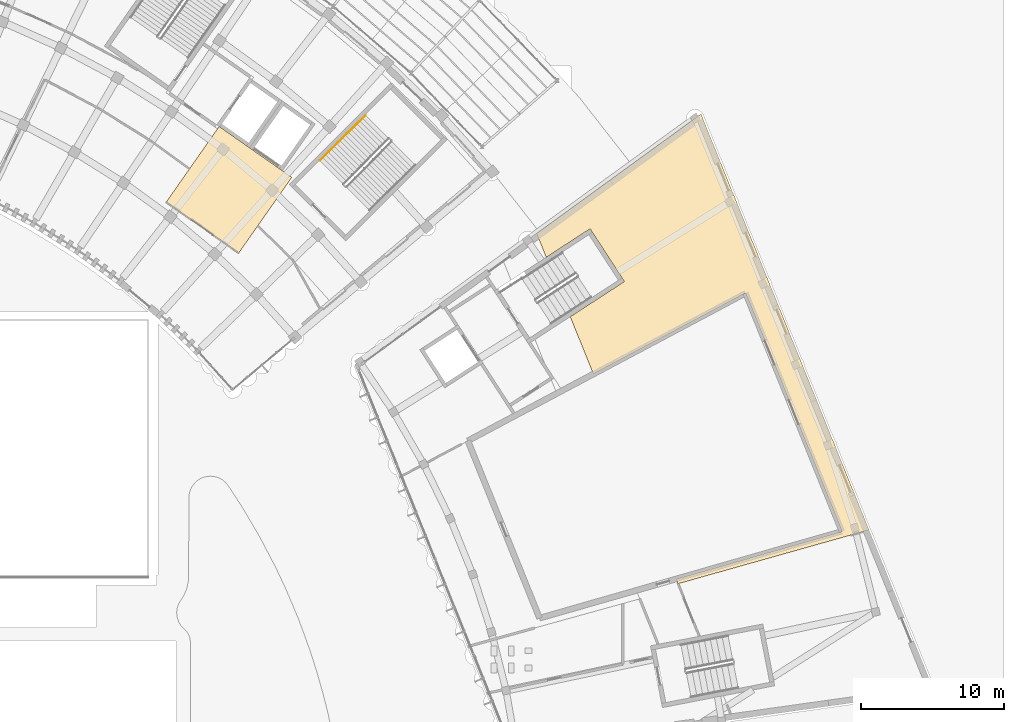
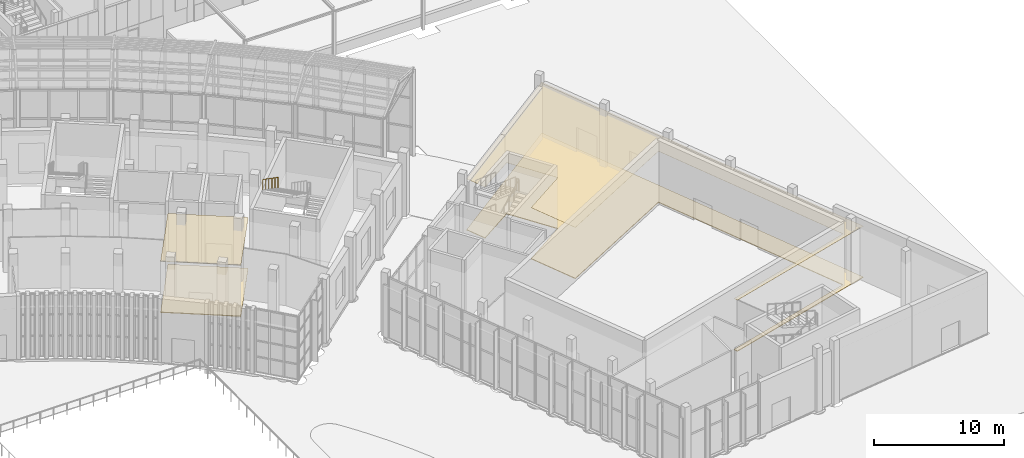
# One storey, part 144 of 155: 4 coverings, 1 railing.
"""IFC4 building model written with IfcOpenShell, lengths in metres."""

from ifc_helpers import new_model, si_unit, direction, frame, origin, origin_2d, place, context, subcontext, project, spatial, polyline, circle, outline, extrude, material, layer, layer_set, type_object, element, save


model = new_model("IFC4")

# Units and contexts
model_context = context("Model", 3, precision=1e-05, world=origin(), true_north=direction((0.0, 1.0)))
body_context = subcontext(model_context, "Body", "Model", "MODEL_VIEW")
ifc_project = project(units=[si_unit("LENGTHUNIT", "METRE"), si_unit("AREAUNIT", "SQUARE_METRE"), si_unit("VOLUMEUNIT", "CUBIC_METRE"), si_unit("PLANEANGLEUNIT", "RADIAN"), si_unit("MASSUNIT", "GRAM", prefix="KILO")], contexts=[model_context])

# Site, building, storey
site_placement = place(None, origin())
site = spatial("IfcSite", under=ifc_project, at=site_placement, CompositionType="ELEMENT")
building_placement = place(site_placement, origin())
building = spatial("IfcBuilding", under=site, at=building_placement, Name="Lunette Opera House", CompositionType="ELEMENT")
storey_placement = place(building_placement, origin())
storey = spatial("IfcBuildingStorey", under=building, at=storey_placement, Name="L00", CompositionType="ELEMENT", Elevation=0.0)

# Railing
ifc_material_1 = material(Name="Steel S355", Category="steel")
railing_type = type_object("IfcRailingType", Name="STAIR HANDRAIL 1000", PredefinedType="HANDRAIL", material=ifc_material_1)
railing_placement = place(storey_placement, frame((145.341552734375, 52.806640625, 3.176513671875)))
element("IfcRailing", 1, at=railing_placement, inside=storey, type_object=railing_type, Name="L00 ST4 stair handrail 2", PredefinedType="HANDRAIL", context=body_context, shape_type="SweptSolid", body=[
    extrude(circle(Radius=0.02392578125, at=origin_2d()), frame((0.0, 0.0, 0.97607421875), z_axis=(-0.598218619036, -0.598218619036, 0.533168798485), x_axis=(0.707106781187, -0.707106781187, 0.0)), (0.0, 0.0, 1.0), 5.295654296875),
    extrude(circle(Radius=0.02099609375, at=origin_2d()), origin(), (0.0, 0.0, 1.0), 0.951904296875),
    extrude(circle(Radius=0.02099609375, at=origin_2d()), frame((-0.633544921875, -0.633544921875, 0.564697265625)), (0.0, 0.0, 1.0), 0.951904296875),
    extrude(circle(Radius=0.02099609375, at=origin_2d()), frame((-1.26708984375, -1.26708984375, 1.12939453125)), (0.0, 0.0, 1.0), 0.951904296875),
    extrude(circle(Radius=0.02099609375, at=origin_2d()), frame((-1.90087890625, -1.90087890625, 1.694091796875)), (0.0, 0.0, 1.0), 0.951904296875),
    extrude(circle(Radius=0.02099609375, at=origin_2d()), frame((-2.534423828125, -2.534423828125, 2.2587890625)), (0.0, 0.0, 1.0), 0.951904296875),
    extrude(circle(Radius=0.02099609375, at=origin_2d()), frame((-3.16796875, -3.16796875, 2.823486328125)), (0.0, 0.0, 1.0), 0.951904296875),
])

# Coverings
ifc_material_2 = material(Name="Mineral fibre board")
ifc_layer_1 = layer(ifc_material_2, 0.014892578125)
ifc_layer_set_1 = layer_set([ifc_layer_1], Name="Mineral fibre board")
covering_type_1 = type_object("IfcCoveringType", Name="SUSPENDED ACOUSTIC CEILING 15", PredefinedType="CEILING", material=ifc_layer_set_1)
covering_1_placement = place(storey_placement, frame((0.0, 0.0, 4.81494140625)))
element("IfcCovering", 2, at=covering_1_placement, inside=storey, type_object=covering_type_1, Name="Ceiling Open Lift Lobby East", PredefinedType="CEILING", context=body_context, shape_type="SweptSolid", body=[
    extrude(outline(polyline([(131.4140625, 46.739990234375), (136.491943359375, 43.18408203125), (140.19189453125, 48.468017578125), (135.113037109375, 52.02392578125), (131.4140625, 46.739990234375)])), origin(), (0.0, 0.0, 1.0), 0.01513671875),
])
covering_2_placement = place(storey_placement, frame((0.0, 0.0, 4.81494140625)))
element("IfcCovering", 3, at=covering_2_placement, inside=storey, type_object=covering_type_1, Name="Ceiling Studio Foyer", PredefinedType="CEILING", context=body_context, shape_type="SweptSolid", body=[
    extrude(outline(polyline([(167.076904296875, 20.381103515625), (178.6689453125, 23.705078125), (171.93310546875, 40.375), (161.287109375, 34.714111328125), (159.6669921875, 38.721923828125), (163.452880859375, 41.180908203125), (161.056884765625, 44.8720703125), (157.988037109375, 42.87890625), (157.31396484375, 44.547119140625), (168.81201171875, 52.90087890625), (180.56494140625, 23.81201171875), (167.2099609375, 20.051025390625), (167.076904296875, 20.381103515625)])), origin(), (0.0, 0.0, 1.0), 0.01513671875),
])
ifc_material_3 = material(Name="Terrazzo")
ifc_layer_2 = layer(ifc_material_3, 0.06005859375)
ifc_layer_set_2 = layer_set([ifc_layer_2], Name="Terrazzo")
covering_type_2 = type_object("IfcCoveringType", Name="TERRAZZO FLOOR FINISH 60", PredefinedType="FLOORING", material=ifc_layer_set_2)
covering_3_placement = place(storey_placement, origin())
element("IfcCovering", 4, at=covering_3_placement, inside=storey, type_object=covering_type_2, Name="Floor finish Open Lift Lobby East", PredefinedType="FLOORING", context=body_context, shape_type="SweptSolid", body=[
    extrude(outline(polyline([(131.4140625, 46.739990234375), (136.491943359375, 43.18408203125), (140.19189453125, 48.468017578125), (135.113037109375, 52.02392578125), (131.4140625, 46.739990234375)])), origin(), (0.0, 0.0, 1.0), 0.06005859375),
])
covering_4_placement = place(storey_placement, origin())
element("IfcCovering", 5, at=covering_4_placement, inside=storey, type_object=covering_type_2, Name="Floor finish Studio Foyer", PredefinedType="FLOORING", context=body_context, shape_type="SweptSolid", body=[
    extrude(outline(polyline([(167.076904296875, 20.381103515625), (178.6689453125, 23.705078125), (171.93310546875, 40.375), (161.287109375, 34.714111328125), (159.6669921875, 38.721923828125), (163.452880859375, 41.180908203125), (161.056884765625, 44.8720703125), (157.988037109375, 42.87890625), (157.31396484375, 44.547119140625), (168.81201171875, 52.90087890625), (180.56494140625, 23.81201171875), (167.2099609375, 20.051025390625), (167.076904296875, 20.381103515625)])), origin(), (0.0, 0.0, 1.0), 0.06005859375),
])

save(model, "model.ifc")
